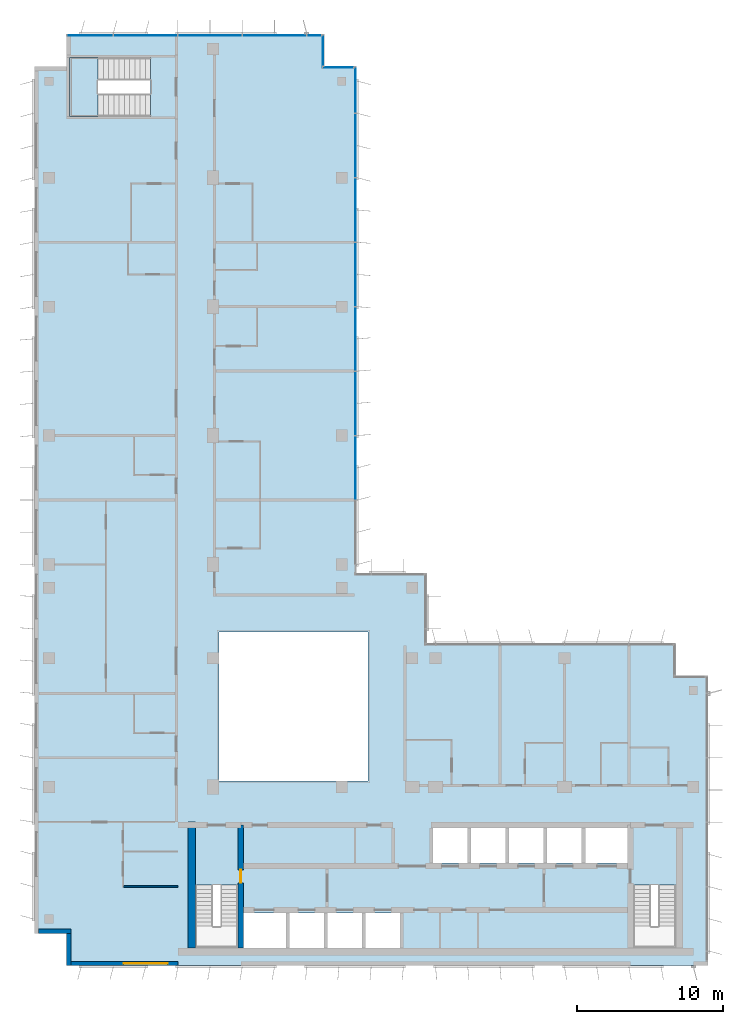
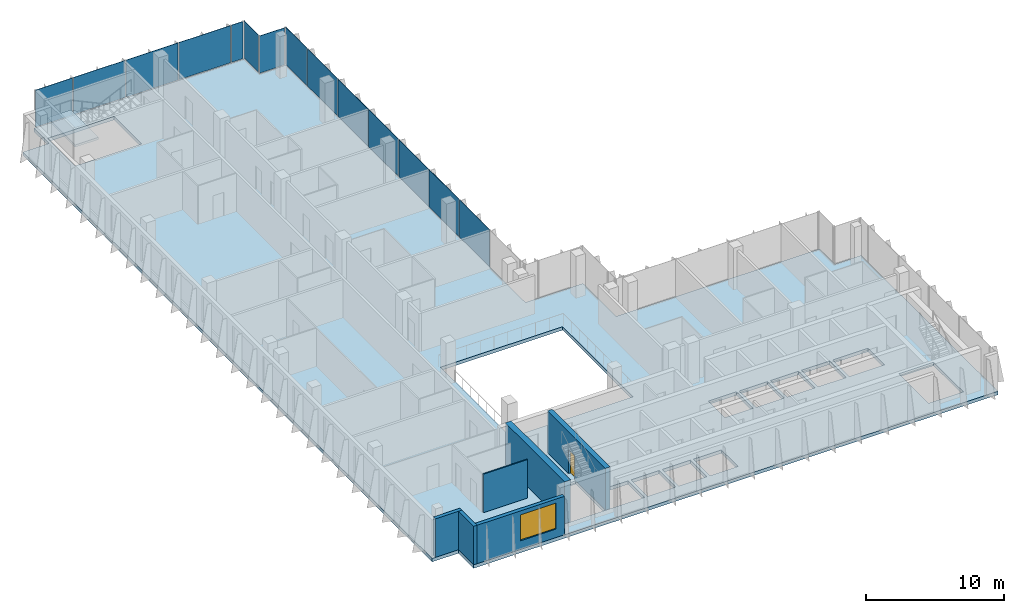
# One storey, part 8 of 15: 14 plates, 6 walls, 2 slabs, 1 door, 1 window, 2 openings, 5 elements without a shape of their own.
"""IFC4 building model written with IfcOpenShell, lengths in metres."""

from ifc_helpers import new_model, si_unit, direction, frame, frame_2d, origin, origin_2d, place, context, subcontext, project, spatial, polyline, rectangle, outline, extrude, source, transform, mapped, material, layer, layer_set, type_object, element, fill, aggregate, save


model = new_model("IFC4")

# Units and contexts
model_context = context("Model", 3, precision=1e-05, world=origin(), true_north=direction((0.0, 1.0)))
body_context = subcontext(model_context, "Body", "Model", "MODEL_VIEW")
ifc_project = project(units=[si_unit("LENGTHUNIT", "METRE"), si_unit("AREAUNIT", "SQUARE_METRE"), si_unit("VOLUMEUNIT", "CUBIC_METRE"), si_unit("PLANEANGLEUNIT", "RADIAN"), si_unit("MASSUNIT", "GRAM", prefix="KILO")], contexts=[model_context])

# Site, building, storey
site_placement = place(None, origin())
site = spatial("IfcSite", under=ifc_project, at=site_placement, CompositionType="ELEMENT")
building_placement = place(site_placement, origin())
building = spatial("IfcBuilding", under=site, at=building_placement, Name="Kemantara Hotel Tower", CompositionType="ELEMENT")
storey_placement = place(building_placement, frame((0.0, 0.0, 275.89990234375)))
storey = spatial("IfcBuildingStorey", under=building, at=storey_placement, Name="L69", CompositionType="ELEMENT", Elevation=275.89990234375)

# Slab
ifc_material_1 = material(Name="Concrete fc 40 MPa", Category="concrete")
ifc_layer_1 = layer(ifc_material_1, 0.300048828125)
ifc_layer_set_1 = layer_set([ifc_layer_1], Name="Concrete fc 40 MPa")
slab_type_1 = type_object("IfcSlabType", Name="POST-TENSIONED FLAT PLATE 300", PredefinedType="FLOOR", material=ifc_layer_set_1)
slab_1_placement = place(storey_placement, frame((0.0, 0.0, -0.2998046875)))
element("IfcSlab", 1, at=slab_1_placement, inside=storey, type_object=slab_type_1, Name="FLOOR SLAB L69", PredefinedType="FLOOR", context=body_context, shape_type="SweptSolid", body=[
    extrude(outline(polyline([(22.0, 26.800048828125), (22.0, 61.39990234375), (19.800048828125, 61.39990234375), (19.800048828125, 63.60009765625), (2.199951171875, 63.60009765625), (2.199951171875, 61.39990234375), (0.0, 61.39990234375), (0.0, 2.199951171875), (2.199951171875, 2.199951171875), (2.199951171875, 0.0), (46.0, 0.0), (46.0, 19.800048828125), (43.800048828125, 19.800048828125), (43.800048828125, 22.0), (26.800048828125, 22.0), (26.800048828125, 26.800048828125), (22.0, 26.800048828125)]), holes=[polyline([(17.175048828125, 3.60009765625), (17.175048828125, 1.199951171875), (14.22509765625, 1.199951171875), (14.22509765625, 3.60009765625), (17.175048828125, 3.60009765625)]), polyline([(19.77490234375, 1.199951171875), (17.425048828125, 1.199951171875), (17.425048828125, 3.60009765625), (19.77490234375, 3.60009765625), (19.77490234375, 1.199951171875)]), polyline([(22.375, 1.199951171875), (20.02490234375, 1.199951171875), (20.02490234375, 3.60009765625), (22.375, 3.60009765625), (22.375, 1.199951171875)]), polyline([(24.97509765625, 3.60009765625), (24.97509765625, 1.199951171875), (22.625, 1.199951171875), (22.625, 3.60009765625), (24.97509765625, 3.60009765625)]), polyline([(11.0, 1.199951171875), (11.0, 5.49951171875), (13.89990234375, 5.49951171875), (13.89990234375, 1.199951171875), (11.0, 1.199951171875)]), polyline([(22.800048828125, 12.60009765625), (12.60009765625, 12.60009765625), (12.60009765625, 22.800048828125), (22.800048828125, 22.800048828125), (22.800048828125, 12.60009765625)]), polyline([(2.39990234375, 58.0), (2.39990234375, 62.0), (7.949462890625, 62.0), (7.949462890625, 58.0), (2.39990234375, 58.0)]), polyline([(40.89990234375, 1.199951171875), (40.89990234375, 5.49951171875), (43.800048828125, 5.49951171875), (43.800048828125, 1.199951171875), (40.89990234375, 1.199951171875)]), polyline([(29.574951171875, 7.0), (27.22509765625, 7.0), (27.22509765625, 9.39990234375), (29.574951171875, 9.39990234375), (29.574951171875, 7.0)]), polyline([(32.175048828125, 7.0), (29.824951171875, 7.0), (29.824951171875, 9.39990234375), (32.175048828125, 9.39990234375), (32.175048828125, 7.0)]), polyline([(34.77490234375, 7.0), (32.425048828125, 7.0), (32.425048828125, 9.39990234375), (34.77490234375, 9.39990234375), (34.77490234375, 7.0)]), polyline([(37.375, 7.0), (35.02490234375, 7.0), (35.02490234375, 9.39990234375), (37.375, 9.39990234375), (37.375, 7.0)]), polyline([(40.574951171875, 7.0), (37.625, 7.0), (37.625, 9.39990234375), (40.574951171875, 9.39990234375), (40.574951171875, 7.0)])]), origin(), (0.0, 0.0, 1.0), 0.2998046875),
])

# Stair, slab
stair_type = type_object("IfcStairType", Name="Stair 1550 wide 22 risers of 168 x 360 mm", PredefinedType="HALF_TURN_STAIR", material=ifc_material_1)
stair_placement = place(storey_placement, origin())
stair = element("IfcStair", 2, at=stair_placement, inside=storey, type_object=stair_type, Name="L69 Exit stair ST4", PredefinedType="HALF_TURN_STAIR")
ifc_layer_2 = layer(ifc_material_1, 0.199951171875)
ifc_layer_set_2 = layer_set([ifc_layer_2], Name="Concrete fc 40 MPa")
slab_type_2 = type_object("IfcSlabType", Name="Stair landing 200 mm", PredefinedType="LANDING", material=ifc_layer_set_2)
slab_2_placement = place(storey_placement, frame((0.0, 0.0, 1.650146484375)))
slab_2 = element("IfcSlab", 3, at=slab_2_placement, type_object=slab_type_2, Name="ST4 landing 1", PredefinedType="LANDING", context=body_context, shape_type="SweptSolid", body=[
    extrude(outline(polyline([(4.35009765625, 62.0), (2.39990234375, 62.0), (2.39990234375, 58.0), (4.35009765625, 58.0), (4.35009765625, 62.0)])), origin(), (0.0, 0.0, 1.0), 0.199951171875),
])
aggregate(stair, [slab_2])

# Curtain wall, plates
ifc_material_2 = material(Name="Low-E tinted double insulated glass 36 mm", Category="glass")
curtain_wall_type = type_object("IfcCurtainWallType", Name="TOWER CURTAIN WALL, FRONT FACES", PredefinedType="USERDEFINED", material=ifc_material_2)
curtain_wall_1_placement = place(storey_placement, origin())
curtain_wall_1 = element("IfcCurtainWall", 4, at=curtain_wall_1_placement, inside=storey, type_object=curtain_wall_type, Name="CW4 L69 T4-R02-1", ObjectType="TOWER CURTAIN WALL, FRONT FACES", PredefinedType="USERDEFINED")
ifc_layer_3 = layer(ifc_material_2, 0.035888671875)
ifc_layer_set_3 = layer_set([ifc_layer_3], Name="Low-E tinted double insulated glass 36 mm")
plate_type = type_object("IfcPlateType", Name="TOWER CURTAIN WALL, FRONT FACES PANEL", PredefinedType="CURTAIN_PANEL", material=ifc_layer_set_3)
shared_shape_1 = source(origin(), body_context, "Body", "SweptSolid", [
    extrude(rectangle(XDim=4.340087890625, YDim=0.035888671875, at=origin_2d()), origin(), (0.0, 0.0, 1.0), 3.280029296875),
])
plate_1_placement = place(storey_placement, frame((16.39990234375, 63.52490234375, 0.1201171875), z_axis=(0.0, 0.0, 1.0), x_axis=(-1.0, 0.0, 0.0)))
plate_1 = element("IfcPlate", 5, at=plate_1_placement, type_object=plate_type, Name="CW4 glass panel T4-R02-1.2", PredefinedType="CURTAIN_PANEL", context=body_context, shape_type="MappedRepresentation", body=[
    mapped(shared_shape_1, transform((0.0, 0.0, 0.0))),
])
plate_2_placement = place(storey_placement, frame((12.0, 63.52490234375, 0.1201171875), z_axis=(0.0, 0.0, 1.0), x_axis=(-1.0, 0.0, 0.0)))
plate_2 = element("IfcPlate", 6, at=plate_2_placement, type_object=plate_type, Name="CW4 glass panel T4-R02-1.3", PredefinedType="CURTAIN_PANEL", context=body_context, shape_type="MappedRepresentation", body=[
    mapped(shared_shape_1, transform((0.0, 0.0, 0.0))),
])
plate_3_placement = place(storey_placement, frame((7.60009765625, 63.52490234375, 0.1201171875), z_axis=(0.0, 0.0, 1.0), x_axis=(-1.0, 0.0, 0.0)))
plate_3 = element("IfcPlate", 7, at=plate_3_placement, type_object=plate_type, Name="CW4 glass panel T4-R02-1.4", PredefinedType="CURTAIN_PANEL", context=body_context, shape_type="MappedRepresentation", body=[
    mapped(shared_shape_1, transform((0.0, 0.0, 0.0))),
])

curtain_wall_2_placement = place(storey_placement, origin())
curtain_wall_2 = element("IfcCurtainWall", 8, at=curtain_wall_2_placement, inside=storey, type_object=curtain_wall_type, Name="CW4 L69 T4-R15-1", ObjectType="TOWER CURTAIN WALL, FRONT FACES", PredefinedType="USERDEFINED")
plate_4_placement = place(storey_placement, frame((21.925048828125, 34.0, 0.1201171875), z_axis=(0.0, 0.0, 1.0), x_axis=(0.0, 1.0, 0.0)))
plate_4 = element("IfcPlate", 9, at=plate_4_placement, type_object=plate_type, Name="CW4 glass panel T4-R15-1.3", PredefinedType="CURTAIN_PANEL", context=body_context, shape_type="MappedRepresentation", body=[
    mapped(shared_shape_1, transform((0.0, 0.0, 0.0))),
])
plate_5_placement = place(storey_placement, frame((21.925048828125, 38.39990234375, 0.1201171875), z_axis=(0.0, 0.0, 1.0), x_axis=(0.0, 1.0, 0.0)))
plate_5 = element("IfcPlate", 10, at=plate_5_placement, type_object=plate_type, Name="CW4 glass panel T4-R15-1.4", PredefinedType="CURTAIN_PANEL", context=body_context, shape_type="MappedRepresentation", body=[
    mapped(shared_shape_1, transform((0.0, 0.0, 0.0))),
])
plate_6_placement = place(storey_placement, frame((21.925048828125, 42.800048828125, 0.1201171875), z_axis=(0.0, 0.0, 1.0), x_axis=(0.0, 1.0, 0.0)))
plate_6 = element("IfcPlate", 11, at=plate_6_placement, type_object=plate_type, Name="CW4 glass panel T4-R15-1.5", PredefinedType="CURTAIN_PANEL", context=body_context, shape_type="MappedRepresentation", body=[
    mapped(shared_shape_1, transform((0.0, 0.0, 0.0))),
])
plate_7_placement = place(storey_placement, frame((21.925048828125, 47.199951171875, 0.1201171875), z_axis=(0.0, 0.0, 1.0), x_axis=(0.0, 1.0, 0.0)))
plate_7 = element("IfcPlate", 12, at=plate_7_placement, type_object=plate_type, Name="CW4 glass panel T4-R15-1.6", PredefinedType="CURTAIN_PANEL", context=body_context, shape_type="MappedRepresentation", body=[
    mapped(shared_shape_1, transform((0.0, 0.0, 0.0))),
])
plate_8_placement = place(storey_placement, frame((21.925048828125, 51.60009765625, 0.1201171875), z_axis=(0.0, 0.0, 1.0), x_axis=(0.0, 1.0, 0.0)))
plate_8 = element("IfcPlate", 13, at=plate_8_placement, type_object=plate_type, Name="CW4 glass panel T4-R15-1.7", PredefinedType="CURTAIN_PANEL", context=body_context, shape_type="MappedRepresentation", body=[
    mapped(shared_shape_1, transform((0.0, 0.0, 0.0))),
])
plate_9_placement = place(storey_placement, frame((21.925048828125, 56.0, 0.1201171875), z_axis=(0.0, 0.0, 1.0), x_axis=(0.0, 1.0, 0.0)))
plate_9 = element("IfcPlate", 14, at=plate_9_placement, type_object=plate_type, Name="CW4 glass panel T4-R15-1.8", PredefinedType="CURTAIN_PANEL", context=body_context, shape_type="MappedRepresentation", body=[
    mapped(shared_shape_1, transform((0.0, 0.0, 0.0))),
])

# Plate
shared_shape_2 = source(origin(), body_context, "Body", "SweptSolid", [
    extrude(rectangle(XDim=3.110107421875, YDim=0.035888671875, at=origin_2d()), origin(), (0.0, 0.0, 1.0), 3.280029296875),
])
plate_10_placement = place(storey_placement, frame((3.81494140625, 63.52490234375, 0.1201171875), z_axis=(0.0, 0.0, 1.0), x_axis=(-1.0, 0.0, 0.0)))
plate_10 = element("IfcPlate", 15, at=plate_10_placement, type_object=plate_type, Name="CW4 glass panel T4-R02-1.5", PredefinedType="CURTAIN_PANEL", context=body_context, shape_type="MappedRepresentation", body=[
    mapped(shared_shape_2, transform((0.0, 0.0, 0.0))),
])

plate_11_placement = place(storey_placement, frame((21.925048828125, 59.784912109375, 0.1201171875), z_axis=(0.0, 0.0, 1.0), x_axis=(0.0, 1.0, 0.0)))
plate_11 = element("IfcPlate", 16, at=plate_11_placement, type_object=plate_type, Name="CW4 glass panel T4-R15-1.9", PredefinedType="CURTAIN_PANEL", context=body_context, shape_type="MappedRepresentation", body=[
    mapped(shared_shape_2, transform((0.0, 0.0, 0.0))),
])

aggregate(curtain_wall_2, [plate_4, plate_5, plate_6, plate_7, plate_8, plate_9, plate_11])

# Curtain wall, plate
curtain_wall_3_placement = place(storey_placement, origin())
curtain_wall_3 = element("IfcCurtainWall", 17, at=curtain_wall_3_placement, inside=storey, type_object=curtain_wall_type, Name="CW4 L69 T4-R00-1", ObjectType="TOWER CURTAIN WALL, FRONT FACES", PredefinedType="USERDEFINED")
shared_shape_3 = source(origin(), body_context, "Body", "SweptSolid", [
    extrude(rectangle(XDim=2.080078125, YDim=0.035888671875, at=origin_2d()), origin(), (0.0, 0.0, 1.0), 3.280029296875),
])
plate_12_placement = place(storey_placement, frame((20.75, 61.324951171875, 0.1201171875), z_axis=(0.0, 0.0, 1.0), x_axis=(-1.0, 0.0, 0.0)))
plate_12 = element("IfcPlate", 18, at=plate_12_placement, type_object=plate_type, Name="CW4 glass panel T4-R00-1.1", PredefinedType="CURTAIN_PANEL", context=body_context, shape_type="MappedRepresentation", body=[
    mapped(shared_shape_3, transform((0.0, 0.0, 0.0))),
])
aggregate(curtain_wall_3, [plate_12])

curtain_wall_4_placement = place(storey_placement, origin())
curtain_wall_4 = element("IfcCurtainWall", 19, at=curtain_wall_4_placement, inside=storey, type_object=curtain_wall_type, Name="CW4 L69 T4-R01-1", ObjectType="TOWER CURTAIN WALL, FRONT FACES", PredefinedType="USERDEFINED")
plate_13_placement = place(storey_placement, frame((19.72509765625, 62.5, 0.1201171875), z_axis=(0.0, 0.0, 1.0), x_axis=(0.0, 1.0, 0.0)))
plate_13 = element("IfcPlate", 20, at=plate_13_placement, type_object=plate_type, Name="CW4 glass panel T4-R01-1.1", PredefinedType="CURTAIN_PANEL", context=body_context, shape_type="MappedRepresentation", body=[
    mapped(shared_shape_3, transform((0.0, 0.0, 0.0))),
])
aggregate(curtain_wall_4, [plate_13])

# Plate
shared_shape_4 = source(origin(), body_context, "Body", "SweptSolid", [
    extrude(rectangle(XDim=0.9599609375, YDim=0.035888671875, at=origin_2d()), origin(), (0.0, 0.0, 1.0), 3.280029296875),
])
plate_14_placement = place(storey_placement, frame((19.110107421875, 63.52490234375, 0.1201171875), z_axis=(0.0, 0.0, 1.0), x_axis=(-1.0, 0.0, 0.0)))
plate_14 = element("IfcPlate", 21, at=plate_14_placement, type_object=plate_type, Name="CW4 glass panel T4-R02-1.1", PredefinedType="CURTAIN_PANEL", context=body_context, shape_type="MappedRepresentation", body=[
    mapped(shared_shape_4, transform((0.0, 0.0, 0.0))),
])

aggregate(curtain_wall_1, [plate_14, plate_1, plate_2, plate_3, plate_10])

# Walls
ifc_material_3 = material(Name="Bronze anodised aluminium cladding on insulated steel stud wall", Category="steel")
ifc_layer_4 = layer(ifc_material_3, 0.300048828125)
ifc_layer_set_4 = layer_set([ifc_layer_4], Name="Bronze anodised aluminium cladding on insulated steel stud wall")
wall_type_1 = type_object("IfcWallType", Name="BRONZE METAL-CLAD EXTERNAL WALL 300", PredefinedType="STANDARD", material=ifc_layer_set_4)
for number, where, z_axis, x_axis, name in (
    (22, (0.300048828125, 2.35009765625, 0.0), (0.0, 0.0, 1.0), (1.0, 0.0, 0.0), "EXTERNAL WALL L69 T4-R06"),
    (23, (2.35009765625, 2.199951171875, 0.0), (0.0, 0.0, 1.0), (0.0, -1.0, 0.0), "EXTERNAL WALL L69 T4-R07"),
):
    element("IfcWall", number, at=place(storey_placement, frame(where, z_axis=z_axis, x_axis=x_axis)), inside=storey, type_object=wall_type_1, Name=name, PredefinedType="STANDARD", context=body_context, shape_type="SweptSolid", body=[
        extrude(rectangle(XDim=2.199951171875, YDim=0.300048828125, at=frame_2d((1.10009765625, 0.0))), origin(), (0.0, 0.0, 1.0), 3.400146484375),
    ])

# Wall, opening, window
wall_1_placement = place(storey_placement, frame((2.5, 0.14990234375, 0.0), z_axis=(0.0, 0.0, 1.0), x_axis=(1.0, 0.0, 0.0)))
wall_1 = element("IfcWall", 24, at=wall_1_placement, inside=storey, type_object=wall_type_1, Name="EXTERNAL WALL L69 T4-R08", PredefinedType="STANDARD", context=body_context, shape_type="SweptSolid", body=[
    extrude(rectangle(XDim=7.300048828125, YDim=0.300048828125, at=frame_2d((3.64990234375, 0.0))), origin(), (0.0, 0.0, 1.0), 3.400146484375),
])
opening_1_placement = place(wall_1_placement, frame((3.60009765625, 0.0, 0.75)))
opening_1 = element("IfcOpeningElement", 25, at=opening_1_placement, cuts=wall_1, Name="Opening W1", PredefinedType="OPENING", context=body_context, shape_type="SweptSolid", body=[
    extrude(rectangle(XDim=3.0, YDim=2.300048828125, at=frame_2d((1.5, 1.14990234375))), frame((0.0, 0.159912109375, 0.0), z_axis=(0.0, -1.0, 0.0), x_axis=(1.0, 0.0, 0.0)), (0.0, 0.0, 1.0), 0.320068359375),
])
ifc_material_4 = material(Name="Low-E tinted double insulated glass in bronze anodised aluminium frame", Category="aluminium")
window_type = type_object("IfcWindowType", Name="CHICAGO WINDOW, TRIPLE PANEL 3000x2300", PartitioningType="TRIPLE_PANEL_VERTICAL", PredefinedType="WINDOW", material=ifc_material_4)
window_placement = place(opening_1_placement, origin())
window = element("IfcWindow", 26, at=window_placement, inside=storey, type_object=window_type, Name="CHICAGO WINDOW L69 T4-R08-54", OverallHeight=2.300048828125, OverallWidth=3.0, PartitioningType="SINGLE_PANEL", PredefinedType="WINDOW", context=body_context, shape_type="SweptSolid", body=[
    extrude(rectangle(XDim=3.0, YDim=2.300048828125, at=frame_2d((1.5, 1.14990234375))), frame((0.0, 0.030029296875, 0.0), z_axis=(0.0, -1.0, 0.0), x_axis=(1.0, 0.0, 0.0)), (0.0, 0.0, 1.0), 0.06005859375),
])
fill(opening_1, window)

# Wall, opening, door
ifc_material_5 = material(Name="Concrete fc 50 MPa", Category="concrete")
ifc_layer_5 = layer(ifc_material_5, 0.39990234375)
ifc_layer_set_5 = layer_set([ifc_layer_5], Name="Concrete fc 50 MPa")
wall_type_2 = type_object("IfcWallType", Name="CORE WALL 400 FC50", PredefinedType="SHEAR", material=ifc_layer_set_5)
wall_2_placement = place(storey_placement, frame((14.10009765625, 1.199951171875, 0.0), z_axis=(0.0, 0.0, 1.0), x_axis=(0.0, 1.0, 0.0)))
wall_2 = element("IfcWall", 27, at=wall_2_placement, inside=storey, type_object=wall_type_2, Name="CORE WALL CW-ST1E", PredefinedType="SHEAR", context=body_context, shape_type="SweptSolid", body=[
    extrude(rectangle(XDim=8.400146484375, YDim=0.39990234375, at=frame_2d((4.2001953125, 0.0))), origin(), (0.0, 0.0, 1.0), 3.7001953125),
])
opening_2_placement = place(wall_2_placement, frame((4.449951171875, 0.0, 0.0)))
opening_2 = element("IfcOpeningElement", 28, at=opening_2_placement, cuts=wall_2, Name="Opening C40-ST1-F", PredefinedType="OPENING", context=body_context, shape_type="SweptSolid", body=[
    extrude(rectangle(XDim=0.89990234375, YDim=2.10009765625, at=frame_2d((0.449951171875, 1.050048828125))), frame((0.0, 0.2099609375, 0.0), z_axis=(0.0, -1.0, 0.0), x_axis=(1.0, 0.0, 0.0)), (0.0, 0.0, 1.0), 0.419921875),
])
ifc_material_6 = material(Name="Steel fire door", Category="steel")
door_type = type_object("IfcDoorType", Name="Fire door FD90 900 x 2100", OperationType="NOTDEFINED", PredefinedType="DOOR", material=ifc_material_6)
door_placement = place(opening_2_placement, origin())
door = element("IfcDoor", 29, at=door_placement, inside=storey, type_object=door_type, Name="Stair ST1 door to firefighting lobby", OperationType="SINGLE_SWING_RIGHT", OverallHeight=2.10009765625, OverallWidth=0.89990234375, PredefinedType="DOOR", context=body_context, shape_type="SweptSolid", body=[
    extrude(rectangle(XDim=0.89990234375, YDim=2.10009765625, at=frame_2d((0.449951171875, 1.050048828125))), frame((0.0, 0.02490234375, 0.0), z_axis=(0.0, -1.0, 0.0), x_axis=(1.0, 0.0, 0.0)), (0.0, 0.0, 1.0), 0.050048828125),
])
fill(opening_2, door)

# Walls
ifc_layer_6 = layer(ifc_material_5, 0.5)
ifc_layer_set_6 = layer_set([ifc_layer_6], Name="Concrete fc 50 MPa")
wall_type_3 = type_object("IfcWallType", Name="CORE WALL 500 FC50", PredefinedType="SHEAR", material=ifc_layer_set_6)
wall_3_placement = place(storey_placement, frame((10.75, 1.199951171875, 0.0), z_axis=(0.0, 0.0, 1.0), x_axis=(0.0, 1.0, 0.0)))
element("IfcWall", 30, at=wall_3_placement, inside=storey, type_object=wall_type_3, Name="CORE WALL CW-W", PredefinedType="SHEAR", context=body_context, shape_type="SweptSolid", body=[
    extrude(rectangle(XDim=8.60009765625, YDim=0.5, at=frame_2d((4.300048828125, 0.0))), origin(), (0.0, 0.0, 1.0), 3.7001953125),
])
ifc_material_7 = material(Name="Gypsum board partition on steel studs, 100 mm", Category="steel")
ifc_layer_7 = layer(ifc_material_7, 0.10009765625)
ifc_layer_set_7 = layer_set([ifc_layer_7], Name="Gypsum board partition on steel studs, 100 mm")
wall_type_4 = type_object("IfcWallType", Name="ROOM PARTITION 100", PredefinedType="PARTITIONING", material=ifc_layer_set_7)
wall_4_placement = place(storey_placement, frame((6.10009765625, 5.39990234375, 0.0), z_axis=(0.0, 0.0, 1.0), x_axis=(1.0, 0.0, 0.0)))
element("IfcWall", 31, at=wall_4_placement, inside=storey, type_object=wall_type_4, Name="ROOM PARTITION 100 035", PredefinedType="PARTITIONING", context=body_context, shape_type="SweptSolid", body=[
    extrude(rectangle(XDim=3.69970703125, YDim=0.10009765625, at=frame_2d((1.849853515625, 0.0))), origin(), (0.0, 0.0, 1.0), 3.400146484375),
])

save(model, "model.ifc")
